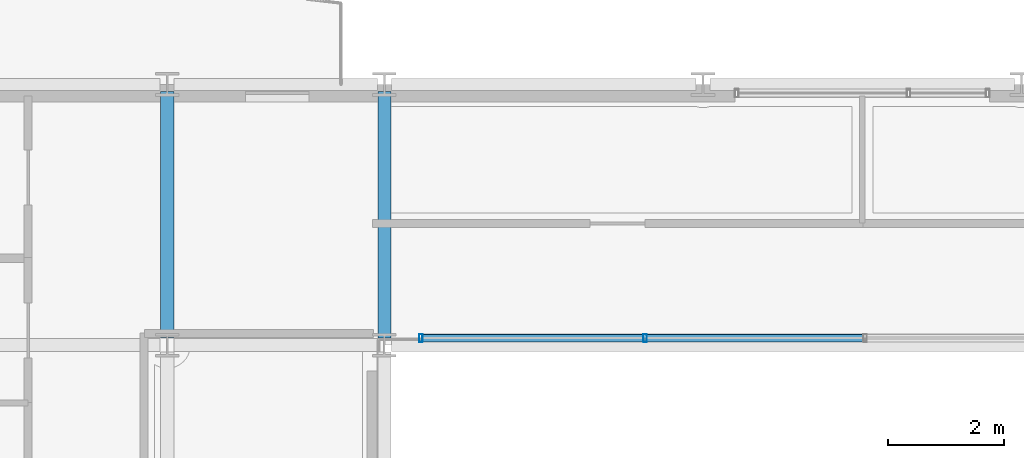
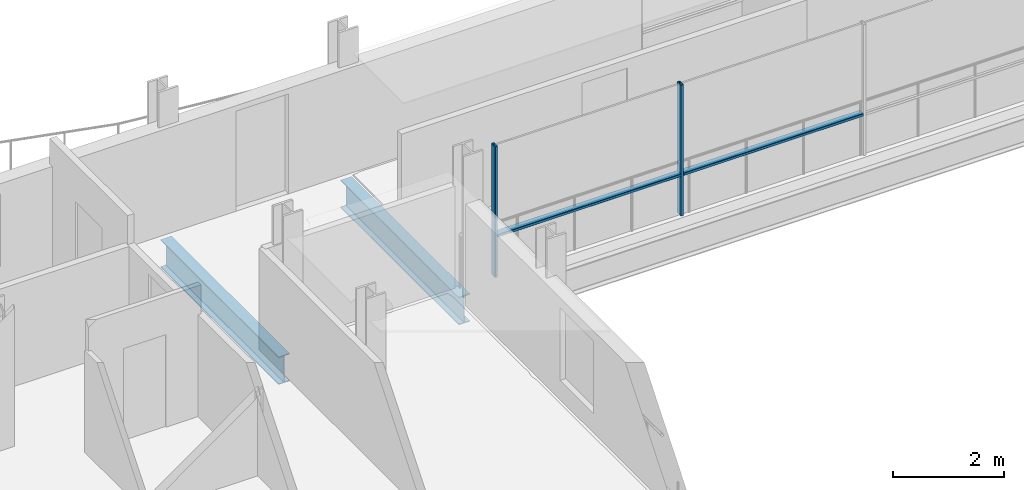
# One storey, part 11 of 41: 4 members, 2 beams, 1 element without a shape of its own.
"""IFC4 building model written with IfcOpenShell, lengths in metres."""

from ifc_helpers import new_model, si_unit, direction, frame, origin, origin_2d, place, context, subcontext, project, spatial, hollow_rectangle, i_section, extrude, material, layer, layer_set, material_profile, profile_set, type_object, element, aggregate, save


model = new_model("IFC4")

# Units and contexts
model_context = context("Model", 3, precision=1e-05, world=origin(), true_north=direction((0.0, 1.0)))
body_context = subcontext(model_context, "Body", "Model", "MODEL_VIEW")
ifc_project = project(units=[si_unit("LENGTHUNIT", "METRE"), si_unit("AREAUNIT", "SQUARE_METRE"), si_unit("VOLUMEUNIT", "CUBIC_METRE"), si_unit("PLANEANGLEUNIT", "RADIAN"), si_unit("MASSUNIT", "GRAM", prefix="KILO")], contexts=[model_context])

# Site, building, storey
site_placement = place(None, origin())
site = spatial("IfcSite", under=ifc_project, at=site_placement, CompositionType="ELEMENT")
building_placement = place(site_placement, origin())
building = spatial("IfcBuilding", under=site, at=building_placement, Name="Brevholm Reach", CompositionType="ELEMENT")
storey_placement = place(building_placement, frame((0.0, 0.0, 163.5)))
storey = spatial("IfcBuildingStorey", under=building, at=storey_placement, Name="L49", CompositionType="ELEMENT", Elevation=163.5)

# Beams
ifc_material_1 = material(Name="Structural Steel S355J2", Category="steel")
ifc_material_profile_1 = material_profile(ifc_material_1, i_section(OverallWidth=0.22900390625, OverallDepth=0.6123046875, WebThickness=0.011962890625, FlangeThickness=0.01953125, FilletRadius=0.0126953125, at=origin_2d()), Name="UKB 610x229x125")
ifc_profile_set_1 = profile_set([ifc_material_profile_1], Name="Structural Steel S355J2")
beam_type = type_object("IfcBeamType", Name="BM-SP610", PredefinedType="SPANDREL", material=ifc_profile_set_1)
for number, where, z_axis, x_axis, name in (
    (1, (18.0, 26.6201171875, -0.526123046875), (0.0, 1.0, 0.0), (-1.0, 0.0, 0.0), "L49 SP-01 Framing Beam"),
    (2, (21.75, 26.6201171875, -0.526123046875), (0.0, 1.0, 0.0), (-1.0, 0.0, 0.0), "L49 SP-01 Framing Beam"),
):
    element("IfcBeam", number, at=place(storey_placement, frame(where, z_axis=z_axis, x_axis=x_axis)), inside=storey, type_object=beam_type, Name=name, PredefinedType="SPANDREL", context=body_context, shape_type="SweptSolid", body=[
        extrude(i_section(OverallWidth=0.22900390625, OverallDepth=0.6123046875, WebThickness=0.011962890625, FlangeThickness=0.01953125, FilletRadius=0.0126953125, at=origin_2d()), origin(), (0.0, 0.0, 1.0), 4.259765625),
    ])

# Curtain wall, members
ifc_material_2 = material(Name="Dark Anodised Aluminium 6063-T6 and Solar-Control Glass", Category="aluminium")
ifc_layer = layer(ifc_material_2, 0.139892578125)
ifc_layer_set = layer_set([ifc_layer], Name="Dark Anodised Aluminium 6063-T6 and Solar-Control Glass")
curtain_wall_type = type_object("IfcCurtainWallType", Name="CW-02", PredefinedType="NOTDEFINED", material=ifc_layer_set)
curtain_wall_placement = place(storey_placement, origin())
curtain_wall = element("IfcCurtainWall", 3, at=curtain_wall_placement, inside=storey, type_object=curtain_wall_type, Name="L49 Curtain Wall CW-02", PredefinedType="NOTDEFINED")
ifc_material_3 = material(Name="Dark Anodised Aluminium 6063-T6", Category="aluminium")
ifc_material_profile_2 = material_profile(ifc_material_3, hollow_rectangle(XDim=0.06005859375, YDim=0.139892578125, WallThickness=0.0048828125, InnerFilletRadius=0.0048828125, OuterFilletRadius=0.010009765625, at=origin_2d()), Name="RHS 140x60x5")
ifc_profile_set_2 = profile_set([ifc_material_profile_2], Name="Dark Anodised Aluminium 6063-T6")
member_type_1 = type_object("IfcMemberType", Name="CWM-140", PredefinedType="MULLION", material=ifc_profile_set_2)
member_1_placement = place(storey_placement, frame((26.25, 26.6201171875, 0.0), z_axis=(0.0, 0.0, 1.0), x_axis=(-1.0, 0.0, 0.0)))
member_1 = element("IfcMember", 4, at=member_1_placement, type_object=member_type_1, Name="CM-140 Mullion 4", PredefinedType="MULLION", context=body_context, shape_type="SweptSolid", body=[
    extrude(hollow_rectangle(XDim=0.06005859375, YDim=0.139892578125, WallThickness=0.0048828125, InnerFilletRadius=0.0048828125, OuterFilletRadius=0.010009765625, at=origin_2d()), origin(), (0.0, 0.0, 1.0), 2.8798828125),
])
member_2_placement = place(storey_placement, frame((22.3798828125, 26.6201171875, 0.0), z_axis=(0.0, 0.0, 1.0), x_axis=(-1.0, 0.0, 0.0)))
member_2 = element("IfcMember", 5, at=member_2_placement, type_object=member_type_1, Name="CM-140 Mullion 5", PredefinedType="MULLION", context=body_context, shape_type="SweptSolid", body=[
    extrude(hollow_rectangle(XDim=0.06005859375, YDim=0.139892578125, WallThickness=0.0048828125, InnerFilletRadius=0.0048828125, OuterFilletRadius=0.010009765625, at=origin_2d()), origin(), (0.0, 0.0, 1.0), 2.8798828125),
])
ifc_material_4 = material(Name="Dark Anodised Aluminium 6063-T6", Category="aluminium")
ifc_material_profile_3 = material_profile(ifc_material_4, hollow_rectangle(XDim=0.06005859375, YDim=0.139892578125, WallThickness=0.0048828125, InnerFilletRadius=0.0048828125, OuterFilletRadius=0.010009765625, at=origin_2d()), Name="RHS 140x60x5")
ifc_profile_set_3 = profile_set([ifc_material_profile_3], Name="Dark Anodised Aluminium 6063-T6")
member_type_2 = type_object("IfcMemberType", Name="CWT-140", PredefinedType="NOTDEFINED", material=ifc_profile_set_3)
member_3_placement = place(storey_placement, frame((30.02001953125, 26.6201171875, 0.89990234375), z_axis=(-1.0, 0.0, 0.0), x_axis=(0.0, 0.0, 1.0)))
member_3 = element("IfcMember", 6, at=member_3_placement, type_object=member_type_2, Name="CT-140 Transom 3.1", ObjectType="TRANSOM", PredefinedType="USERDEFINED", context=body_context, shape_type="SweptSolid", body=[
    extrude(hollow_rectangle(XDim=0.06005859375, YDim=0.139892578125, WallThickness=0.0048828125, InnerFilletRadius=0.0048828125, OuterFilletRadius=0.010009765625, at=origin_2d()), origin(), (0.0, 0.0, 1.0), 3.739990234375),
])
member_4_placement = place(storey_placement, frame((26.219970703125, 26.6201171875, 0.89990234375), z_axis=(-1.0, 0.0, 0.0), x_axis=(0.0, 0.0, 1.0)))
member_4 = element("IfcMember", 7, at=member_4_placement, type_object=member_type_2, Name="CT-140 Transom 4.1", ObjectType="TRANSOM", PredefinedType="USERDEFINED", context=body_context, shape_type="SweptSolid", body=[
    extrude(hollow_rectangle(XDim=0.06005859375, YDim=0.139892578125, WallThickness=0.0048828125, InnerFilletRadius=0.0048828125, OuterFilletRadius=0.010009765625, at=origin_2d()), origin(), (0.0, 0.0, 1.0), 3.81005859375),
])
aggregate(curtain_wall, [member_1, member_2, member_3, member_4])

save(model, "model.ifc")
